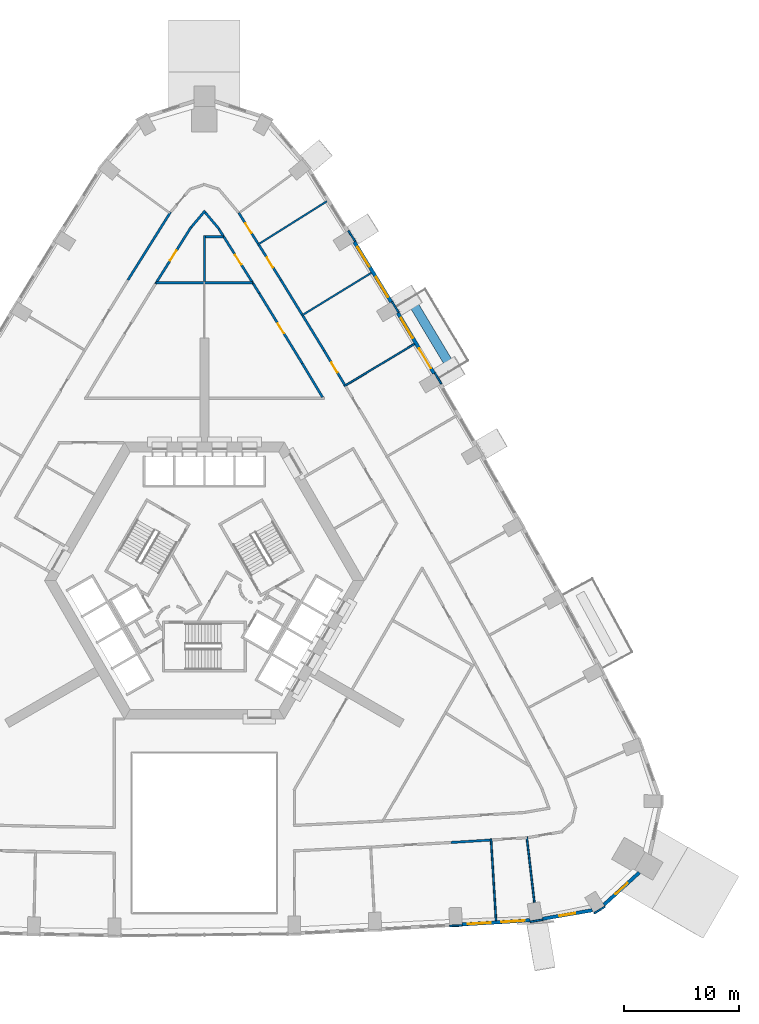
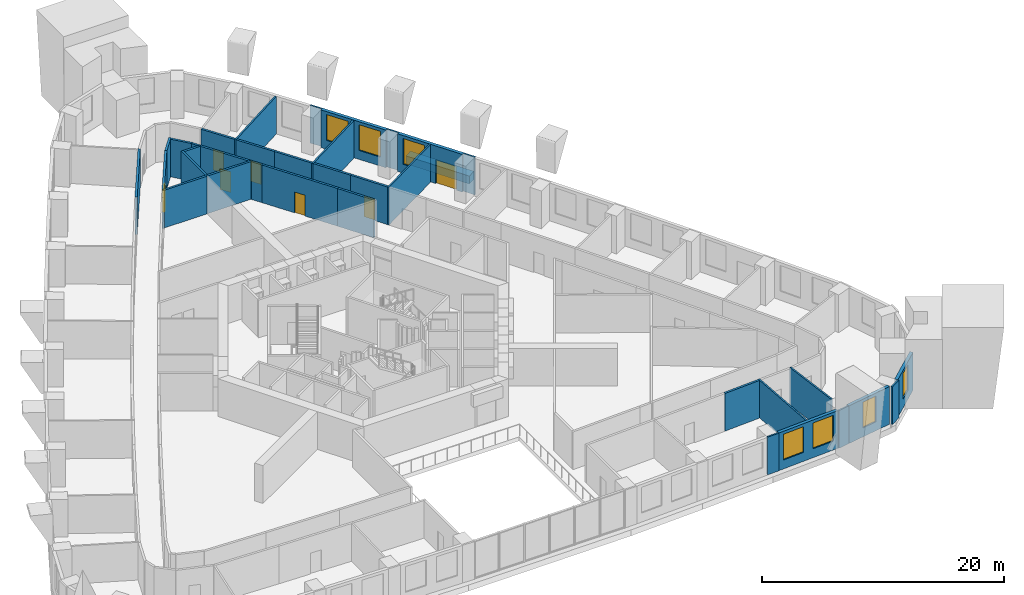
# One storey, part 10 of 15: 36 walls, 7 doors, 7 windows, 14 openings.
"""IFC4 building model written with IfcOpenShell, lengths in metres."""

import ifcopenshell
import ifcopenshell.guid

model = None  # the IFC model being written
_history = None  # IfcOwnerHistory: only IFC2X3 demands one
_inside = {}  # id of a spatial element -> (the spatial element, [elements in it])
_under = {}  # id of a project, library or spatial element -> (it, [spatial elements below it])
_declared = {}  # id of a project -> (the project, [libraries it declares])
_typed = {}  # id of a type object -> (the type object, [elements of that type])
_made_of = {}  # id of a material, layer set ... -> (it, [elements and type objects made of it])


def new_model(schema):
    """Start an empty IFC model of exactly this schema.

    Asked for "IFC4X3", IfcOpenShell would pick the latest addendum, in which some entities
    have other attributes; the version numbers below select the first issue.
    IFC2X3 requires an IfcOwnerHistory on every rooted entity: one is made here for all.
    """
    global model, _history
    if schema == "IFC4X3":
        model = ifcopenshell.file(schema_version=(4, 3, 0, 0))
    else:
        model = ifcopenshell.file(schema=schema)
    _inside.clear()
    _under.clear()
    _declared.clear()
    _typed.clear()
    _made_of.clear()
    _history = None
    if model.schema == "IFC2X3":
        org = make("IfcOrganization", Name="unknown")
        user = make(
            "IfcPersonAndOrganization",
            ThePerson=make("IfcPerson", FamilyName="unknown"),
            TheOrganization=org,
        )
        app = make(
            "IfcApplication",
            ApplicationDeveloper=org,
            Version="unknown",
            ApplicationFullName="unknown",
            ApplicationIdentifier="unknown",
        )
        _history = make(
            "IfcOwnerHistory",
            OwningUser=user,
            OwningApplication=app,
            ChangeAction="ADDED",
            CreationDate=0,
        )
    return model


def make(cls, **values):
    """One entity of the class cls with the attributes given. An attribute that is None is left unset."""
    return model.create_entity(
        cls, **{name: value for name, value in values.items() if value is not None}
    )


def rooted(cls, **values):
    """An entity with a GlobalId (a new one), such as an element, a storey or a relation."""
    return make(cls, GlobalId=ifcopenshell.guid.new(), OwnerHistory=_history, **values)


def si_unit(unit_type, name, prefix=None):
    """IfcSIUnit, for example si_unit("LENGTHUNIT", "METRE", prefix="MILLI")."""
    return make("IfcSIUnit", UnitType=unit_type, Prefix=prefix, Name=name)


def assignment(units):
    """IfcUnitAssignment: the units of a project."""
    return None if units is None else make("IfcUnitAssignment", Units=units)


def point(xyz):
    """IfcCartesianPoint."""
    return None if xyz is None else make("IfcCartesianPoint", Coordinates=xyz)


def direction(xyz):
    """IfcDirection."""
    return None if xyz is None else make("IfcDirection", DirectionRatios=xyz)


def frame(location, z_axis=None, x_axis=None):
    """IfcAxis2Placement3D, a coordinate frame: its origin and axes. An axis left out is left unset."""
    return make(
        "IfcAxis2Placement3D",
        Location=point(location),
        Axis=direction(z_axis),
        RefDirection=direction(x_axis),
    )


def frame_2d(location, x_axis=None):
    """IfcAxis2Placement2D, a coordinate frame in the plane: its origin and x axis."""
    return make(
        "IfcAxis2Placement2D", Location=point(location), RefDirection=direction(x_axis)
    )


def origin():
    """The frame at (0, 0, 0) with its axes left unset."""
    return frame((0.0, 0.0, 0.0))


def place(relative_to, where):
    """IfcLocalPlacement: puts the frame where relative to a parent placement (None: the world)."""
    return make(
        "IfcLocalPlacement", PlacementRelTo=relative_to, RelativePlacement=where
    )


def context(
    kind, dimensions, precision=None, world=None, true_north=None, identifier=None
):
    """IfcGeometricRepresentationContext, for example the 3D "Model" context."""
    return make(
        "IfcGeometricRepresentationContext",
        ContextIdentifier=identifier,
        ContextType=kind,
        CoordinateSpaceDimension=dimensions,
        Precision=precision,
        WorldCoordinateSystem=world,
        TrueNorth=true_north,
    )


def subcontext(parent, identifier, kind, view, scale=None):
    """IfcGeometricRepresentationSubContext, for example "Body" below "Model"."""
    return make(
        "IfcGeometricRepresentationSubContext",
        ContextIdentifier=identifier,
        ContextType=kind,
        ParentContext=parent,
        TargetScale=scale,
        TargetView=view,
    )


def project(units=None, contexts=None):
    """IfcProject with its units and contexts."""
    return rooted(
        "IfcProject",
        Name="project",
        RepresentationContexts=contexts,
        UnitsInContext=assignment(units),
    )


def spatial(cls, under=None, at=None, **own):
    """A site, building, storey or space (cls), placed at a placement, below another one or the project."""
    s = rooted(cls, ObjectPlacement=at, **own)
    if under is not None:
        _under.setdefault(under.id(), (under, []))[1].append(s)
    return s


def profile(cls, at=None, kind="AREA", **sizes):
    """A parametric profile (cls). Its sizes go by their IFC names, for example OverallWidth=200.0."""
    return make(cls, ProfileType=kind, Position=at, **sizes)


def rectangle(**sizes):
    """IfcRectangleProfileDef."""
    return profile("IfcRectangleProfileDef", **sizes)


def extrude(swept, where, along, depth):
    """IfcExtrudedAreaSolid: the profile swept, set in the frame where, extruded along a direction by depth."""
    return make(
        "IfcExtrudedAreaSolid",
        SweptArea=swept,
        Position=where,
        ExtrudedDirection=direction(along),
        Depth=depth,
    )


def shape(context_of_items, identifier, shape_type, items):
    """IfcShapeRepresentation: the items that make up one representation, for example the "Body"."""
    return make(
        "IfcShapeRepresentation",
        ContextOfItems=context_of_items,
        RepresentationIdentifier=identifier,
        RepresentationType=shape_type,
        Items=items,
    )


def material(Name=None, Category=None):
    """IfcMaterial."""
    return make("IfcMaterial", Name=Name, Category=Category)


def layer(
    of_material, thickness, ventilated=None, Name=None, Category=None, Priority=None
):
    """IfcMaterialLayer: one layer of a wall or slab, of a material (None: an air gap)."""
    return make(
        "IfcMaterialLayer",
        Material=of_material,
        LayerThickness=thickness,
        IsVentilated=ventilated,
        Name=Name,
        Category=Category,
        Priority=Priority,
    )


def layer_set(layers, Name=None):
    """IfcMaterialLayerSet."""
    return make("IfcMaterialLayerSet", MaterialLayers=layers, LayerSetName=Name)


def made_of(thing, what):
    """Note that an element or type object is made of a material, layer set ...; save() writes the relation."""
    if what is not None:
        _made_of.setdefault(what.id(), (what, []))[1].append(thing)
    return thing


def type_object(cls, material=None, **own):
    """A type object (cls), such as IfcWallType, which elements share."""
    return made_of(rooted(cls, **own), material)


def element(
    cls,
    number,
    at=None,
    inside=None,
    cuts=None,
    type_object=None,
    material=None,
    context=None,
    identifier="Body",
    shape_type=None,
    held_by="IfcProductDefinitionShape",
    body=None,
    shapes=None,
    **own,
):
    """One element of the class cls, such as IfcWall. Its Tag is "e" and its number.

    at: its placement. inside: the storey or other place that contains it. cuts: it is an
    opening in that element (IfcRelVoidsElement). A single representation is given by context,
    identifier, shape_type and body (its items); several are given by shapes. held_by: the class
    of the entity that holds the representations. save() writes the other relations.
    """
    e = rooted(cls, Tag="e%d" % number, ObjectPlacement=at, **own)
    if body is not None:
        shapes = [shape(context, identifier, shape_type, body)]
    if shapes is not None:
        e.Representation = make(held_by, Representations=shapes)
    if inside is not None:
        _inside.setdefault(inside.id(), (inside, []))[1].append(e)
    if cuts is not None:
        rooted(
            "IfcRelVoidsElement", RelatingBuildingElement=cuts, RelatedOpeningElement=e
        )
    if type_object is not None:
        _typed.setdefault(type_object.id(), (type_object, []))[1].append(e)
    return made_of(e, material)


def fill(opening, filler):
    """IfcRelFillsElement: the door or window that sits in an opening."""
    return rooted(
        "IfcRelFillsElement",
        RelatingOpeningElement=opening,
        RelatedBuildingElement=filler,
    )


def aggregate(whole, parts):
    """IfcRelAggregates: a whole, such as a stair, and the parts it consists of."""
    return rooted("IfcRelAggregates", RelatingObject=whole, RelatedObjects=parts)


def save(model, path):
    """Write the relations noted so far, then the file.

    IfcRelAggregates (storeys below a building ...), IfcRelContainedInSpatialStructure (elements
    in a storey), IfcRelDefinesByType, IfcRelAssociatesMaterial and IfcRelDeclares: one each for
    every whole, place, type object, material and project.
    """
    for whole, parts in _under.values():
        aggregate(whole, parts)
    for where, things in _inside.values():
        rooted(
            "IfcRelContainedInSpatialStructure",
            RelatedElements=things,
            RelatingStructure=where,
        )
    for kind, things in _typed.values():
        rooted("IfcRelDefinesByType", RelatedObjects=things, RelatingType=kind)
    for what, things in _made_of.values():
        rooted("IfcRelAssociatesMaterial", RelatedObjects=things, RelatingMaterial=what)
    for by, libraries in _declared.values():
        rooted("IfcRelDeclares", RelatingContext=by, RelatedDefinitions=libraries)
    model.write(path)


model = new_model("IFC4")

# Units and contexts
model_context = context("Model", 3, precision=1e-05, world=origin(), true_north=direction((0.0, 1.0)))
body_context = subcontext(model_context, "Body", "Model", "MODEL_VIEW")
ifc_project = project(units=[si_unit("LENGTHUNIT", "METRE"), si_unit("AREAUNIT", "SQUARE_METRE"), si_unit("VOLUMEUNIT", "CUBIC_METRE"), si_unit("PLANEANGLEUNIT", "RADIAN"), si_unit("MASSUNIT", "GRAM", prefix="KILO")], contexts=[model_context])

# Site, building, storey
site_placement = place(None, origin())
site = spatial("IfcSite", under=ifc_project, at=site_placement, CompositionType="ELEMENT")
building_placement = place(site_placement, origin())
building = spatial("IfcBuilding", under=site, at=building_placement, Name="Entoto Arch Interchange Tower", CompositionType="ELEMENT")
storey_placement = place(building_placement, frame((0.0, 0.0, 124.39990234375)))
storey = spatial("IfcBuildingStorey", under=building, at=storey_placement, Name="L27", CompositionType="ELEMENT", Elevation=124.39990234375)

# Walls
ifc_material_1 = material(Name="Gypsum board partition on steel studs", Category="steel")
ifc_layer_1 = layer(ifc_material_1, 0.14990234375)
ifc_layer_set_1 = layer_set([ifc_layer_1], Name="Gypsum board partition on steel studs")
wall_type_1 = type_object("IfcWallType", Name="PARTITION 150", PredefinedType="PARTITIONING", material=ifc_layer_set_1)
wall_1_placement = place(storey_placement, frame((24.8291015625, -19.8759765625, 0.0), z_axis=(0.0, 0.0, 1.0), x_axis=(0.061693175316, -0.998095161856, 0.0)))
element("IfcWall", 1, at=wall_1_placement, inside=storey, type_object=wall_type_1, Name="wall:L27:p134", PredefinedType="PARTITIONING", context=body_context, shape_type="SweptSolid", body=[
    extrude(rectangle(XDim=7.099365234375, YDim=0.14990234375, at=frame_2d((3.5498046875, 0.0))), origin(), (0.0, 0.0, 1.0), 3.800048828125),
])
wall_2_placement = place(storey_placement, frame((27.925048828125, -19.68408203125, 0.0), z_axis=(0.0, 0.0, 1.0), x_axis=(0.115888394456, -0.993262241319, 0.0)))
element("IfcWall", 2, at=wall_2_placement, inside=storey, type_object=wall_type_1, Name="wall:L27:p135", PredefinedType="PARTITIONING", context=body_context, shape_type="SweptSolid", body=[
    extrude(rectangle(XDim=5.738525390625, YDim=0.14990234375, at=frame_2d((2.869140625, 0.0))), origin(), (0.0, 0.0, 1.0), 3.800048828125),
])
wall_3_placement = place(storey_placement, frame((12.10400390625, 19.347900390625, 0.0), z_axis=(0.0, 0.0, 1.0), x_axis=(0.85799008499, 0.513666247732, 0.0)))
element("IfcWall", 3, at=wall_3_placement, inside=storey, type_object=wall_type_1, Name="wall:L27:p141", PredefinedType="PARTITIONING", context=body_context, shape_type="SweptSolid", body=[
    extrude(rectangle(XDim=7.100341796875, YDim=0.14990234375, at=frame_2d((3.55029296875, 0.0))), origin(), (0.0, 0.0, 1.0), 3.800048828125),
])
wall_4_placement = place(storey_placement, frame((8.406005859375, 25.450927734375, 0.0), z_axis=(0.0, 0.0, 1.0), x_axis=(0.852520194289, 0.522694287637, 0.0)))
element("IfcWall", 4, at=wall_4_placement, inside=storey, type_object=wall_type_1, Name="wall:L27:p142", PredefinedType="PARTITIONING", context=body_context, shape_type="SweptSolid", body=[
    extrude(rectangle(XDim=7.10009765625, YDim=0.14990234375, at=frame_2d((3.550048828125, 0.0))), origin(), (0.0, 0.0, 1.0), 3.800048828125),
])
wall_5_placement = place(storey_placement, frame((4.596923828125, 31.589111328125, 0.0), z_axis=(0.0, 0.0, 1.0), x_axis=(0.846980720953, 0.531623605885, 0.0)))
element("IfcWall", 5, at=wall_5_placement, inside=storey, type_object=wall_type_1, Name="wall:L27:p143", PredefinedType="PARTITIONING", context=body_context, shape_type="SweptSolid", body=[
    extrude(rectangle(XDim=7.1005859375, YDim=0.14990234375, at=frame_2d((3.55029296875, 0.0))), origin(), (0.0, 0.0, 1.0), 3.800048828125),
])
ifc_layer_2 = layer(ifc_material_1, 0.199951171875)
ifc_layer_set_2 = layer_set([ifc_layer_2], Name="Gypsum board partition on steel studs")
wall_type_2 = type_object("IfcWallType", Name="PARTITION 200", PredefinedType="PARTITIONING", material=ifc_layer_set_2)
wall_6_placement = place(storey_placement, frame((10.23193359375, 18.385986328125, 0.0), z_axis=(0.0, 0.0, 1.0), x_axis=(-0.513592824646, 0.858034038062, 0.0)))
element("IfcWall", 6, at=wall_6_placement, inside=storey, type_object=wall_type_2, Name="wall:L27:p009", PredefinedType="PARTITIONING", context=body_context, shape_type="SweptSolid", body=[
    extrude(rectangle(XDim=3.420654296875, YDim=0.199951171875, at=frame_2d((1.71044921875, 0.0))), origin(), (0.0, 0.0, 1.0), 3.800048828125),
])

# Wall, opening, door
wall_7_placement = place(storey_placement, frame((8.47509765625, 21.321044921875, 0.0), z_axis=(0.0, 0.0, 1.0), x_axis=(-0.522743103274, 0.852490262689, 0.0)))
wall_7 = element("IfcWall", 7, at=wall_7_placement, inside=storey, type_object=wall_type_2, Name="wall:L27:p010", PredefinedType="PARTITIONING", context=body_context, shape_type="SweptSolid", body=[
    extrude(rectangle(XDim=7.114501953125, YDim=0.199951171875, at=frame_2d((3.55712890625, 0.0))), origin(), (0.0, 0.0, 1.0), 3.800048828125),
])
opening_1_placement = place(wall_7_placement, frame((3.056884765625, 0.0, 0.0)))
opening_1 = element("IfcOpeningElement", 8, at=opening_1_placement, cuts=wall_7, Name="Opening L27-D26", PredefinedType="OPENING", context=body_context, shape_type="SweptSolid", body=[
    extrude(rectangle(XDim=1.0, YDim=2.10009765625, at=frame_2d((0.5, 1.050048828125))), frame((0.0, 0.10986328125, 0.0), z_axis=(0.0, -1.0, 0.0), x_axis=(1.0, 0.0, 0.0)), (0.0, 0.0, 1.0), 0.219970703125),
])
ifc_material_2 = material(Name="Timber door leaf in Steel S235 frame", Category="steel")
door_type_1 = type_object("IfcDoorType", Name="DOOR DS-10 1000x2100", OperationType="SINGLE_SWING_LEFT", PredefinedType="DOOR", material=ifc_material_2)
door_1_placement = place(opening_1_placement, origin())
door_1 = element("IfcDoor", 9, at=door_1_placement, inside=storey, type_object=door_type_1, Name="door:L27:26", OperationType="SINGLE_SWING_RIGHT", OverallHeight=2.10009765625, OverallWidth=1.0, PredefinedType="DOOR", context=body_context, shape_type="SweptSolid", body=[
    extrude(rectangle(XDim=1.0, YDim=2.10009765625, at=frame_2d((0.5, 1.050048828125))), frame((0.0, 0.02490234375, 0.0), z_axis=(0.0, -1.0, 0.0), x_axis=(1.0, 0.0, 0.0)), (0.0, 0.0, 1.0), 0.050048828125),
])
fill(opening_1, door_1)

# Wall
wall_8_placement = place(storey_placement, frame((4.756103515625, 27.385986328125, 0.0), z_axis=(0.0, 0.0, 1.0), x_axis=(-0.531343659666, 0.84715637006, 0.0)))
element("IfcWall", 10, at=wall_8_placement, inside=storey, type_object=wall_type_2, Name="wall:L27:p011", PredefinedType="PARTITIONING", context=body_context, shape_type="SweptSolid", body=[
    extrude(rectangle(XDim=0.978759765625, YDim=0.199951171875, at=frame_2d((0.4892578125, 0.0))), origin(), (0.0, 0.0, 1.0), 3.800048828125),
])

# Wall, opening, door
wall_9_placement = place(storey_placement, frame((4.236083984375, 28.215087890625, 0.0), z_axis=(0.0, 0.0, 1.0), x_axis=(-0.531602694807, 0.84699384583, 0.0)))
wall_9 = element("IfcWall", 11, at=wall_9_placement, inside=storey, type_object=wall_type_2, Name="wall:L27:p015", PredefinedType="PARTITIONING", context=body_context, shape_type="SweptSolid", body=[
    extrude(rectangle(XDim=4.923095703125, YDim=0.199951171875, at=frame_2d((2.46142578125, 0.0))), origin(), (0.0, 0.0, 1.0), 3.800048828125),
])
opening_2_placement = place(wall_9_placement, frame((1.9609375, 0.0, 0.0)))
opening_2 = element("IfcOpeningElement", 12, at=opening_2_placement, cuts=wall_9, Name="Opening L27-D28", PredefinedType="OPENING", context=body_context, shape_type="SweptSolid", body=[
    extrude(rectangle(XDim=1.0, YDim=2.10009765625, at=frame_2d((0.5, 1.050048828125))), frame((0.0, 0.10986328125, 0.0), z_axis=(0.0, -1.0, 0.0), x_axis=(1.0, 0.0, 0.0)), (0.0, 0.0, 1.0), 0.219970703125),
])
door_2_placement = place(opening_2_placement, origin())
door_2 = element("IfcDoor", 13, at=door_2_placement, inside=storey, type_object=door_type_1, Name="door:L27:28", OperationType="SINGLE_SWING_LEFT", OverallHeight=2.10009765625, OverallWidth=1.0, PredefinedType="DOOR", context=body_context, shape_type="SweptSolid", body=[
    extrude(rectangle(XDim=1.0, YDim=2.10009765625, at=frame_2d((0.5, 1.050048828125))), frame((0.0, 0.02490234375, 0.0), z_axis=(0.0, -1.0, 0.0), x_axis=(1.0, 0.0, 0.0)), (0.0, 0.0, 1.0), 0.050048828125),
])
fill(opening_2, door_2)

# Walls
wall_10_placement = place(storey_placement, frame((1.618896484375, 32.385009765625, 0.0), z_axis=(0.0, 0.0, 1.0), x_axis=(-0.532112237469, 0.84667382547, 0.0)))
element("IfcWall", 14, at=wall_10_placement, inside=storey, type_object=wall_type_2, Name="wall:L27:p016", PredefinedType="PARTITIONING", context=body_context, shape_type="SweptSolid", body=[
    extrude(rectangle(XDim=0.674560546875, YDim=0.199951171875, at=frame_2d((0.33740234375, 0.0))), origin(), (0.0, 0.0, 1.0), 3.800048828125),
])
wall_11_placement = place(storey_placement, frame((1.27099609375, 32.964111328125, 0.0), z_axis=(0.0, 0.0, 1.0), x_axis=(-0.644007376392, 0.765019280249, 0.0)))
element("IfcWall", 15, at=wall_11_placement, inside=storey, type_object=wall_type_2, Name="wall:L27:p017", PredefinedType="PARTITIONING", context=body_context, shape_type="SweptSolid", body=[
    extrude(rectangle(XDim=1.874267578125, YDim=0.199951171875, at=frame_2d((0.93701171875, 0.0))), origin(), (0.0, 0.0, 1.0), 3.800048828125),
])
wall_12_placement = place(storey_placement, frame((0.06396484375, 34.551025390625, 0.0), z_axis=(0.0, 0.0, 1.0), x_axis=(-0.643638095982, -0.765329995101, 0.0)))
element("IfcWall", 16, at=wall_12_placement, inside=storey, type_object=wall_type_2, Name="wall:L27:p018", PredefinedType="PARTITIONING", context=body_context, shape_type="SweptSolid", body=[
    extrude(rectangle(XDim=1.873779296875, YDim=0.199951171875, at=frame_2d((0.93701171875, 0.0))), origin(), (0.0, 0.0, 1.0), 3.800048828125),
])

# Wall, opening, door
wall_13_placement = place(storey_placement, frame((-1.154052734375, 33.125, 0.0), z_axis=(0.0, 0.0, 1.0), x_axis=(-0.531652223099, -0.846962758139, 0.0)))
wall_13 = element("IfcWall", 17, at=wall_13_placement, inside=storey, type_object=wall_type_2, Name="wall:L27:p019", PredefinedType="PARTITIONING", context=body_context, shape_type="SweptSolid", body=[
    extrude(rectangle(XDim=5.797119140625, YDim=0.199951171875, at=frame_2d((2.8984375, 0.0))), origin(), (0.0, 0.0, 1.0), 3.800048828125),
])
opening_3_placement = place(wall_13_placement, frame((2.39892578125, 0.0, 0.0)))
opening_3 = element("IfcOpeningElement", 18, at=opening_3_placement, cuts=wall_13, Name="Opening L27-D29", PredefinedType="OPENING", context=body_context, shape_type="SweptSolid", body=[
    extrude(rectangle(XDim=1.0, YDim=2.10009765625, at=frame_2d((0.5, 1.050048828125))), frame((0.0, 0.10986328125, 0.0), z_axis=(0.0, -1.0, 0.0), x_axis=(1.0, 0.0, 0.0)), (0.0, 0.0, 1.0), 0.219970703125),
])
door_3_placement = place(opening_3_placement, origin())
door_3 = element("IfcDoor", 19, at=door_3_placement, inside=storey, type_object=door_type_1, Name="door:L27:29", OperationType="SINGLE_SWING_LEFT", OverallHeight=2.10009765625, OverallWidth=1.0, PredefinedType="DOOR", context=body_context, shape_type="SweptSolid", body=[
    extrude(rectangle(XDim=1.0, YDim=2.10009765625, at=frame_2d((0.5, 1.050048828125))), frame((0.0, 0.02490234375, 0.0), z_axis=(0.0, -1.0, 0.0), x_axis=(1.0, 0.0, 0.0)), (0.0, 0.0, 1.0), 0.050048828125),
])
fill(opening_3, door_3)

# Walls
wall_14_placement = place(storey_placement, frame((24.760009765625, -19.97998046875, 0.0), z_axis=(0.0, 0.0, 1.0), x_axis=(-0.998092137917, -0.061742078267, 0.0)))
element("IfcWall", 20, at=wall_14_placement, inside=storey, type_object=wall_type_2, Name="wall:L27:p044", PredefinedType="PARTITIONING", context=body_context, shape_type="SweptSolid", body=[
    extrude(rectangle(XDim=3.41650390625, YDim=0.199951171875, at=frame_2d((1.708251953125, 0.0))), origin(), (0.0, 0.0, 1.0), 3.800048828125),
])
wall_15_placement = place(storey_placement, frame((8.531005859375, 25.43896484375, 0.0), z_axis=(0.0, 0.0, 1.0), x_axis=(0.522704631836, -0.852513852003, 0.0)))
element("IfcWall", 21, at=wall_15_placement, inside=storey, type_object=wall_type_2, Name="wall:L27:p058", PredefinedType="PARTITIONING", context=body_context, shape_type="SweptSolid", body=[
    extrude(rectangle(XDim=3.4931640625, YDim=0.199951171875, at=frame_2d((1.74658203125, 0.0))), origin(), (0.0, 0.0, 1.0), 3.800048828125),
])

# Wall, opening, door
wall_16_placement = place(storey_placement, frame((10.35693359375, 22.4609375, 0.0), z_axis=(0.0, 0.0, 1.0), x_axis=(0.513467759888, -0.858108885606, 0.0)))
wall_16 = element("IfcWall", 22, at=wall_16_placement, inside=storey, type_object=wall_type_2, Name="wall:L27:p059", PredefinedType="PARTITIONING", context=body_context, shape_type="SweptSolid", body=[
    extrude(rectangle(XDim=3.493896484375, YDim=0.199951171875, at=frame_2d((1.7470703125, 0.0))), origin(), (0.0, 0.0, 1.0), 3.800048828125),
])
opening_4_placement = place(wall_16_placement, frame((1.2470703125, 0.0, 0.0)))
opening_4 = element("IfcOpeningElement", 23, at=opening_4_placement, cuts=wall_16, Name="Opening L27-D10", PredefinedType="OPENING", context=body_context, shape_type="SweptSolid", body=[
    extrude(rectangle(XDim=1.0, YDim=2.10009765625, at=frame_2d((0.5, 1.050048828125))), frame((0.0, 0.10986328125, 0.0), z_axis=(0.0, -1.0, 0.0), x_axis=(1.0, 0.0, 0.0)), (0.0, 0.0, 1.0), 0.219970703125),
])
door_4_placement = place(opening_4_placement, origin())
door_4 = element("IfcDoor", 24, at=door_4_placement, inside=storey, type_object=door_type_1, Name="door:L27:10", OperationType="SINGLE_SWING_RIGHT", OverallHeight=2.10009765625, OverallWidth=1.0, PredefinedType="DOOR", context=body_context, shape_type="SweptSolid", body=[
    extrude(rectangle(XDim=1.0, YDim=2.10009765625, at=frame_2d((0.5, 1.050048828125))), frame((0.0, 0.02490234375, 0.0), z_axis=(0.0, -1.0, 0.0), x_axis=(1.0, 0.0, 0.0)), (0.0, 0.0, 1.0), 0.050048828125),
])
fill(opening_4, door_4)

wall_17_placement = place(storey_placement, frame((4.721923828125, 31.5791015625, 0.0), z_axis=(0.0, 0.0, 1.0), x_axis=(0.531664655861, -0.846954953766, 0.0)))
wall_17 = element("IfcWall", 25, at=wall_17_placement, inside=storey, type_object=wall_type_2, Name="wall:L27:p060", PredefinedType="PARTITIONING", context=body_context, shape_type="SweptSolid", body=[
    extrude(rectangle(XDim=3.581298828125, YDim=0.199951171875, at=frame_2d((1.79052734375, 0.0))), origin(), (0.0, 0.0, 1.0), 3.800048828125),
])
opening_5_placement = place(wall_17_placement, frame((1.291015625, 0.0, 0.0)))
opening_5 = element("IfcOpeningElement", 26, at=opening_5_placement, cuts=wall_17, Name="Opening L27-D11", PredefinedType="OPENING", context=body_context, shape_type="SweptSolid", body=[
    extrude(rectangle(XDim=1.0, YDim=2.10009765625, at=frame_2d((0.5, 1.050048828125))), frame((0.0, 0.10986328125, 0.0), z_axis=(0.0, -1.0, 0.0), x_axis=(1.0, 0.0, 0.0)), (0.0, 0.0, 1.0), 0.219970703125),
])
door_5_placement = place(opening_5_placement, origin())
door_5 = element("IfcDoor", 27, at=door_5_placement, inside=storey, type_object=door_type_1, Name="door:L27:11", OperationType="SINGLE_SWING_LEFT", OverallHeight=2.10009765625, OverallWidth=1.0, PredefinedType="DOOR", context=body_context, shape_type="SweptSolid", body=[
    extrude(rectangle(XDim=1.0, YDim=2.10009765625, at=frame_2d((0.5, 1.050048828125))), frame((0.0, 0.02490234375, 0.0), z_axis=(0.0, -1.0, 0.0), x_axis=(1.0, 0.0, 0.0)), (0.0, 0.0, 1.0), 0.050048828125),
])
fill(opening_5, door_5)

# Wall
wall_18_placement = place(storey_placement, frame((6.6259765625, 28.5458984375, 0.0), z_axis=(0.0, 0.0, 1.0), x_axis=(0.522580081027, -0.852590205734, 0.0)))
element("IfcWall", 28, at=wall_18_placement, inside=storey, type_object=wall_type_2, Name="wall:L27:p061", PredefinedType="PARTITIONING", context=body_context, shape_type="SweptSolid", body=[
    extrude(rectangle(XDim=3.494140625, YDim=0.199951171875, at=frame_2d((1.7470703125, 0.0))), origin(), (0.0, 0.0, 1.0), 3.800048828125),
])

# Wall, opening, door
wall_19_placement = place(storey_placement, frame((2.97509765625, 34.361083984375, 0.0), z_axis=(0.0, 0.0, 1.0), x_axis=(0.531740854333, -0.846907116414, 0.0)))
wall_19 = element("IfcWall", 29, at=wall_19_placement, inside=storey, type_object=wall_type_2, Name="wall:L27:p062", PredefinedType="PARTITIONING", context=body_context, shape_type="SweptSolid", body=[
    extrude(rectangle(XDim=3.135009765625, YDim=0.199951171875, at=frame_2d((1.5673828125, 0.0))), origin(), (0.0, 0.0, 1.0), 3.800048828125),
])
opening_6_placement = place(wall_19_placement, frame((1.068115234375, 0.0, 0.0)))
opening_6 = element("IfcOpeningElement", 30, at=opening_6_placement, cuts=wall_19, Name="Opening L27-D12", PredefinedType="OPENING", context=body_context, shape_type="SweptSolid", body=[
    extrude(rectangle(XDim=1.0, YDim=2.10009765625, at=frame_2d((0.5, 1.050048828125))), frame((0.0, 0.10986328125, 0.0), z_axis=(0.0, -1.0, 0.0), x_axis=(1.0, 0.0, 0.0)), (0.0, 0.0, 1.0), 0.219970703125),
])
door_6_placement = place(opening_6_placement, origin())
door_6 = element("IfcDoor", 31, at=door_6_placement, inside=storey, type_object=door_type_1, Name="door:L27:12", OperationType="SINGLE_SWING_LEFT", OverallHeight=2.10009765625, OverallWidth=1.0, PredefinedType="DOOR", context=body_context, shape_type="SweptSolid", body=[
    extrude(rectangle(XDim=1.0, YDim=2.10009765625, at=frame_2d((0.5, 1.050048828125))), frame((0.0, 0.02490234375, 0.0), z_axis=(0.0, -1.0, 0.0), x_axis=(1.0, 0.0, 0.0)), (0.0, 0.0, 1.0), 0.050048828125),
])
fill(opening_6, door_6)

# Walls
wall_20_placement = place(storey_placement, frame((-6.6259765625, 28.5458984375, 0.0), z_axis=(0.0, 0.0, 1.0), x_axis=(0.531701842465, 0.846931609234, 0.0)))
element("IfcWall", 32, at=wall_20_placement, inside=storey, type_object=wall_type_2, Name="wall:L27:p068", PredefinedType="PARTITIONING", context=body_context, shape_type="SweptSolid", body=[
    extrude(rectangle(XDim=6.941650390625, YDim=0.199951171875, at=frame_2d((3.470703125, 0.0))), origin(), (0.0, 0.0, 1.0), 3.800048828125),
])
wall_21_placement = place(storey_placement, frame((-0.050048828125, 28.300048828125, 0.0), z_axis=(0.0, 0.0, 1.0), x_axis=(1.0, 0.0, 0.0)))
element("IfcWall", 33, at=wall_21_placement, inside=storey, type_object=wall_type_2, Name="wall:L27:p125", PredefinedType="PARTITIONING", context=body_context, shape_type="SweptSolid", body=[
    extrude(rectangle(XDim=4.23193359375, YDim=0.199951171875, at=frame_2d((2.115966796875, 0.0))), origin(), (0.0, 0.0, 1.0), 3.800048828125),
])
wall_22_placement = place(storey_placement, frame((-4.181884765625, 28.300048828125, 0.0), z_axis=(0.0, 0.0, 1.0), x_axis=(1.0, 0.0, 0.0)))
element("IfcWall", 34, at=wall_22_placement, inside=storey, type_object=wall_type_2, Name="wall:L27:p126", PredefinedType="PARTITIONING", context=body_context, shape_type="SweptSolid", body=[
    extrude(rectangle(XDim=4.1318359375, YDim=0.199951171875, at=frame_2d((2.06591796875, 0.0))), origin(), (0.0, 0.0, 1.0), 3.800048828125),
])
wall_23_placement = place(storey_placement, frame((0.0, 28.39990234375, 0.0), z_axis=(0.0, 0.0, 1.0), x_axis=(0.0, 1.0, 0.0)))
element("IfcWall", 35, at=wall_23_placement, inside=storey, type_object=wall_type_2, Name="wall:L27:p127", PredefinedType="PARTITIONING", context=body_context, shape_type="SweptSolid", body=[
    extrude(rectangle(XDim=4.0, YDim=0.199951171875, at=frame_2d((2.0, 0.0))), origin(), (0.0, 0.0, 1.0), 3.800048828125),
])
wall_24_placement = place(storey_placement, frame((0.10009765625, 32.300048828125, 0.0), z_axis=(0.0, 0.0, 1.0), x_axis=(1.0, 0.0, 0.0)))
element("IfcWall", 36, at=wall_24_placement, inside=storey, type_object=wall_type_2, Name="wall:L27:p128", PredefinedType="PARTITIONING", context=body_context, shape_type="SweptSolid", body=[
    extrude(rectangle(XDim=1.572021484375, YDim=0.199951171875, at=frame_2d((0.7861328125, 0.0))), origin(), (0.0, 0.0, 1.0), 3.800048828125),
])
ifc_material_3 = material(Name="Board-marked precast concrete C50/60", Category="concrete")
ifc_layer_3 = layer(ifc_material_3, 0.800048828125)
ifc_layer_set_3 = layer_set([ifc_layer_3], Name="Board-marked precast concrete C50/60")
wall_type_3 = type_object("IfcWallType", Name="PLANTER RC 800 Juniperus procera", PredefinedType="STANDARD", material=ifc_layer_set_3)
wall_25_placement = place(storey_placement, frame((21.198974609375, 21.2880859375, 0.0), z_axis=(0.0, 0.0, 1.0), x_axis=(-0.513779237715, 0.857922429415, 0.0)))
element("IfcWall", 37, at=wall_25_placement, inside=storey, type_object=wall_type_3, Name="Planter NE-06 L27", PredefinedType="STANDARD", context=body_context, shape_type="SweptSolid", body=[
    extrude(rectangle(XDim=6.014404296875, YDim=0.800048828125, at=frame_2d((3.00732421875, 0.0))), origin(), (0.0, 0.0, 1.0), 0.800048828125),
])

# Wall, openings, windows
ifc_material_4 = material(Name="Welded tuff (ignimbrite) cladding, warm buff", Category="masonry")
ifc_layer_4 = layer(ifc_material_4, 0.300048828125)
ifc_layer_set_4 = layer_set([ifc_layer_4], Name="Welded tuff (ignimbrite) cladding, warm buff")
wall_type_4 = type_object("IfcWallType", Name="STONE INFILL WALL 300", PredefinedType="STANDARD", material=ifc_layer_set_4)
wall_26_placement = place(storey_placement, frame((22.33203125, -27.2939453125, 0.0), z_axis=(0.0, 0.0, 1.0), x_axis=(0.998086636664, 0.061830944626, 0.0)))
wall_26 = element("IfcWall", 38, at=wall_26_placement, inside=storey, type_object=wall_type_4, Name="Facade wall S-07 L27", PredefinedType="STANDARD", context=body_context, shape_type="SweptSolid", body=[
    extrude(rectangle(XDim=5.88720703125, YDim=0.300048828125, at=frame_2d((2.943603515625, 0.0))), origin(), (0.0, 0.0, 1.0), 3.800048828125),
])
opening_7_placement = place(wall_26_placement, frame((0.471923828125, 0.0, 0.89990234375)))
opening_7 = element("IfcOpeningElement", 39, at=opening_7_placement, cuts=wall_26, Name="Opening WO-C", PredefinedType="OPENING", context=body_context, shape_type="SweptSolid", body=[
    extrude(rectangle(XDim=2.0, YDim=2.60009765625, at=frame_2d((1.0, 1.300048828125))), frame((0.0, 0.16015625, 0.0), z_axis=(0.0, -1.0, 0.0), x_axis=(1.0, 0.0, 0.0)), (0.0, 0.0, 1.0), 0.320068359375),
])
opening_8_placement = place(wall_26_placement, frame((3.4150390625, 0.0, 0.89990234375)))
opening_8 = element("IfcOpeningElement", 40, at=opening_8_placement, cuts=wall_26, Name="Opening WO-C", PredefinedType="OPENING", context=body_context, shape_type="SweptSolid", body=[
    extrude(rectangle(XDim=2.0, YDim=2.60009765625, at=frame_2d((1.0, 1.300048828125))), frame((0.0, 0.16015625, 0.0), z_axis=(0.0, -1.0, 0.0), x_axis=(1.0, 0.0, 0.0)), (0.0, 0.0, 1.0), 0.320068359375),
])
ifc_material_5 = material(Name="Clear glass, low-e double glazed", Category="glass")
window_type_1 = type_object("IfcWindowType", Name="WINDOW WO-C 2000x2600", PartitioningType="DOUBLE_PANEL_VERTICAL", PredefinedType="WINDOW", material=ifc_material_5)
window_1_placement = place(opening_7_placement, origin())
window_1 = element("IfcWindow", 41, at=window_1_placement, inside=storey, type_object=window_type_1, Name="Window WO-C S-07 L27", OverallHeight=2.60009765625, OverallWidth=2.0, PartitioningType="SINGLE_PANEL", PredefinedType="WINDOW", context=body_context, shape_type="SweptSolid", body=[
    extrude(rectangle(XDim=2.0, YDim=2.60009765625, at=frame_2d((1.0, 1.300048828125))), frame((0.0, 0.030029296875, 0.0), z_axis=(0.0, -1.0, 0.0), x_axis=(1.0, 0.0, 0.0)), (0.0, 0.0, 1.0), 0.06005859375),
])
fill(opening_7, window_1)
window_2_placement = place(opening_8_placement, origin())
window_2 = element("IfcWindow", 42, at=window_2_placement, inside=storey, type_object=window_type_1, Name="Window WO-C S-07 L27", OverallHeight=2.60009765625, OverallWidth=2.0, PartitioningType="SINGLE_PANEL", PredefinedType="WINDOW", context=body_context, shape_type="SweptSolid", body=[
    extrude(rectangle(XDim=2.0, YDim=2.60009765625, at=frame_2d((1.0, 1.300048828125))), frame((0.0, 0.030029296875, 0.0), z_axis=(0.0, -1.0, 0.0), x_axis=(1.0, 0.0, 0.0)), (0.0, 0.0, 1.0), 0.06005859375),
])
fill(opening_8, window_2)

# Wall, opening, window
wall_27_placement = place(storey_placement, frame((29.300048828125, -26.803955078125, 0.0), z_axis=(0.0, 0.0, 1.0), x_axis=(0.985504881957, 0.169647067875, 0.0)))
wall_27 = element("IfcWall", 43, at=wall_27_placement, inside=storey, type_object=wall_type_4, Name="Facade wall SE-01 L27", PredefinedType="STANDARD", context=body_context, shape_type="SweptSolid", body=[
    extrude(rectangle(XDim=4.37353515625, YDim=0.300048828125, at=frame_2d((2.186767578125, 0.0))), origin(), (0.0, 0.0, 1.0), 3.800048828125),
])
opening_9_placement = place(wall_27_placement, frame((1.487060546875, 0.0, 0.89990234375)))
opening_9 = element("IfcOpeningElement", 44, at=opening_9_placement, cuts=wall_27, Name="Opening WO-B", PredefinedType="OPENING", context=body_context, shape_type="SweptSolid", body=[
    extrude(rectangle(XDim=1.39990234375, YDim=2.60009765625, at=frame_2d((0.699951171875, 1.300048828125))), frame((0.0, 0.16015625, 0.0), z_axis=(0.0, -1.0, 0.0), x_axis=(1.0, 0.0, 0.0)), (0.0, 0.0, 1.0), 0.320068359375),
])
window_type_2 = type_object("IfcWindowType", Name="WINDOW WO-B 1400x2600", PartitioningType="DOUBLE_PANEL_VERTICAL", PredefinedType="WINDOW", material=ifc_material_5)
window_3_placement = place(opening_9_placement, origin())
window_3 = element("IfcWindow", 45, at=window_3_placement, inside=storey, type_object=window_type_2, Name="Window WO-B SE-01 L27", OverallHeight=2.60009765625, OverallWidth=1.39990234375, PartitioningType="SINGLE_PANEL", PredefinedType="WINDOW", context=body_context, shape_type="SweptSolid", body=[
    extrude(rectangle(XDim=1.39990234375, YDim=2.60009765625, at=frame_2d((0.699951171875, 1.300048828125))), frame((0.0, 0.030029296875, 0.0), z_axis=(0.0, -1.0, 0.0), x_axis=(1.0, 0.0, 0.0)), (0.0, 0.0, 1.0), 0.06005859375),
])
fill(opening_9, window_3)

wall_28_placement = place(storey_placement, frame((34.610107421875, -25.593017578125, 0.0), z_axis=(0.0, 0.0, 1.0), x_axis=(0.738825046606, 0.673897284835, 0.0)))
wall_28 = element("IfcWall", 46, at=wall_28_placement, inside=storey, type_object=wall_type_4, Name="Facade wall SE-02 L27", PredefinedType="STANDARD", context=body_context, shape_type="SweptSolid", body=[
    extrude(rectangle(XDim=4.155029296875, YDim=0.300048828125, at=frame_2d((2.07763671875, 0.0))), origin(), (0.0, 0.0, 1.0), 3.800048828125),
])
opening_10_placement = place(wall_28_placement, frame((1.3779296875, 0.0, 0.89990234375)))
opening_10 = element("IfcOpeningElement", 47, at=opening_10_placement, cuts=wall_28, Name="Opening WO-B", PredefinedType="OPENING", context=body_context, shape_type="SweptSolid", body=[
    extrude(rectangle(XDim=1.39990234375, YDim=2.60009765625, at=frame_2d((0.699951171875, 1.300048828125))), frame((0.0, 0.16015625, 0.0), z_axis=(0.0, -1.0, 0.0), x_axis=(1.0, 0.0, 0.0)), (0.0, 0.0, 1.0), 0.320068359375),
])
window_4_placement = place(opening_10_placement, origin())
window_4 = element("IfcWindow", 48, at=window_4_placement, inside=storey, type_object=window_type_2, Name="Window WO-B SE-02 L27", OverallHeight=2.60009765625, OverallWidth=1.39990234375, PartitioningType="SINGLE_PANEL", PredefinedType="WINDOW", context=body_context, shape_type="SweptSolid", body=[
    extrude(rectangle(XDim=1.39990234375, YDim=2.60009765625, at=frame_2d((0.699951171875, 1.300048828125))), frame((0.0, 0.030029296875, 0.0), z_axis=(0.0, -1.0, 0.0), x_axis=(1.0, 0.0, 0.0)), (0.0, 0.0, 1.0), 0.06005859375),
])
fill(opening_10, window_4)

# Wall, openings, door, window
wall_29_placement = place(storey_placement, frame((19.89501953125, 20.448974609375, 0.0), z_axis=(0.0, 0.0, 1.0), x_axis=(-0.513708729904, 0.857964650099, 0.0)))
wall_29 = element("IfcWall", 49, at=wall_29_placement, inside=storey, type_object=wall_type_4, Name="Facade wall NE-06 L27", PredefinedType="STANDARD", context=body_context, shape_type="SweptSolid", body=[
    extrude(rectangle(XDim=6.114501953125, YDim=0.300048828125, at=frame_2d((3.05712890625, 0.0))), origin(), (0.0, 0.0, 1.0), 3.800048828125),
])
opening_11_placement = place(wall_29_placement, frame((0.529052734375, 0.0, 0.0)))
opening_11 = element("IfcOpeningElement", 50, at=opening_11_placement, cuts=wall_29, Name="Opening DB-NE-06-L27", PredefinedType="OPENING", context=body_context, shape_type="SweptSolid", body=[
    extrude(rectangle(XDim=2.0, YDim=2.39990234375, at=frame_2d((1.0, 1.199951171875))), frame((0.0, 0.16015625, 0.0), z_axis=(0.0, -1.0, 0.0), x_axis=(1.0, 0.0, 0.0)), (0.0, 0.0, 1.0), 0.320068359375),
])
opening_12_placement = place(wall_29_placement, frame((3.5859375, 0.0, 0.89990234375)))
opening_12 = element("IfcOpeningElement", 51, at=opening_12_placement, cuts=wall_29, Name="Opening WO-C", PredefinedType="OPENING", context=body_context, shape_type="SweptSolid", body=[
    extrude(rectangle(XDim=2.0, YDim=2.60009765625, at=frame_2d((1.0, 1.300048828125))), frame((0.0, 0.16015625, 0.0), z_axis=(0.0, -1.0, 0.0), x_axis=(1.0, 0.0, 0.0)), (0.0, 0.0, 1.0), 0.320068359375),
])
ifc_material_6 = material(Name="Aluminium and clear glass, anodised", Category="aluminium")
door_type_2 = type_object("IfcDoorType", Name="BALCONY DOOR DB 2000x2400", OperationType="SLIDING_TO_LEFT", PredefinedType="DOOR", material=ifc_material_6)
door_7_placement = place(opening_11_placement, origin())
door_7 = element("IfcDoor", 52, at=door_7_placement, inside=storey, type_object=door_type_2, Name="Balcony door NE-06 L27", OperationType="SLIDING_TO_LEFT", OverallHeight=2.39990234375, OverallWidth=2.0, PredefinedType="DOOR", context=body_context, shape_type="SweptSolid", body=[
    extrude(rectangle(XDim=2.0, YDim=2.39990234375, at=frame_2d((1.0, 1.199951171875))), frame((0.0, 0.02490234375, 0.0), z_axis=(0.0, -1.0, 0.0), x_axis=(1.0, 0.0, 0.0)), (0.0, 0.0, 1.0), 0.050048828125),
])
fill(opening_11, door_7)
window_5_placement = place(opening_12_placement, origin())
window_5 = element("IfcWindow", 53, at=window_5_placement, inside=storey, type_object=window_type_1, Name="Window WO-C NE-06 L27", OverallHeight=2.60009765625, OverallWidth=2.0, PartitioningType="SINGLE_PANEL", PredefinedType="WINDOW", context=body_context, shape_type="SweptSolid", body=[
    extrude(rectangle(XDim=2.0, YDim=2.60009765625, at=frame_2d((1.0, 1.300048828125))), frame((0.0, 0.030029296875, 0.0), z_axis=(0.0, -1.0, 0.0), x_axis=(1.0, 0.0, 0.0)), (0.0, 0.0, 1.0), 0.06005859375),
])
fill(opening_12, window_5)

# Wall, openings, windows
wall_30_placement = place(storey_placement, frame((16.18505859375, 26.634033203125, 0.0), z_axis=(0.0, 0.0, 1.0), x_axis=(-0.522757750181, 0.8524812811, 0.0)))
wall_30 = element("IfcWall", 54, at=wall_30_placement, inside=storey, type_object=wall_type_4, Name="Facade wall NE-07 L27", PredefinedType="STANDARD", context=body_context, shape_type="SweptSolid", body=[
    extrude(rectangle(XDim=6.11376953125, YDim=0.300048828125, at=frame_2d((3.056884765625, 0.0))), origin(), (0.0, 0.0, 1.0), 3.800048828125),
])
opening_13_placement = place(wall_30_placement, frame((0.528076171875, 0.0, 0.89990234375)))
opening_13 = element("IfcOpeningElement", 55, at=opening_13_placement, cuts=wall_30, Name="Opening WO-C", PredefinedType="OPENING", context=body_context, shape_type="SweptSolid", body=[
    extrude(rectangle(XDim=2.0, YDim=2.60009765625, at=frame_2d((1.0, 1.300048828125))), frame((0.0, 0.16015625, 0.0), z_axis=(0.0, -1.0, 0.0), x_axis=(1.0, 0.0, 0.0)), (0.0, 0.0, 1.0), 0.320068359375),
])
opening_14_placement = place(wall_30_placement, frame((3.5849609375, 0.0, 0.89990234375)))
opening_14 = element("IfcOpeningElement", 56, at=opening_14_placement, cuts=wall_30, Name="Opening WO-C", PredefinedType="OPENING", context=body_context, shape_type="SweptSolid", body=[
    extrude(rectangle(XDim=2.0, YDim=2.60009765625, at=frame_2d((1.0, 1.300048828125))), frame((0.0, 0.16015625, 0.0), z_axis=(0.0, -1.0, 0.0), x_axis=(1.0, 0.0, 0.0)), (0.0, 0.0, 1.0), 0.320068359375),
])
window_6_placement = place(opening_13_placement, origin())
window_6 = element("IfcWindow", 57, at=window_6_placement, inside=storey, type_object=window_type_1, Name="Window WO-C NE-07 L27", OverallHeight=2.60009765625, OverallWidth=2.0, PartitioningType="SINGLE_PANEL", PredefinedType="WINDOW", context=body_context, shape_type="SweptSolid", body=[
    extrude(rectangle(XDim=2.0, YDim=2.60009765625, at=frame_2d((1.0, 1.300048828125))), frame((0.0, 0.030029296875, 0.0), z_axis=(0.0, -1.0, 0.0), x_axis=(1.0, 0.0, 0.0)), (0.0, 0.0, 1.0), 0.06005859375),
])
fill(opening_13, window_6)
window_7_placement = place(opening_14_placement, origin())
window_7 = element("IfcWindow", 58, at=window_7_placement, inside=storey, type_object=window_type_1, Name="Window WO-C NE-07 L27", OverallHeight=2.60009765625, OverallWidth=2.0, PartitioningType="SINGLE_PANEL", PredefinedType="WINDOW", context=body_context, shape_type="SweptSolid", body=[
    extrude(rectangle(XDim=2.0, YDim=2.60009765625, at=frame_2d((1.0, 1.300048828125))), frame((0.0, 0.030029296875, 0.0), z_axis=(0.0, -1.0, 0.0), x_axis=(1.0, 0.0, 0.0)), (0.0, 0.0, 1.0), 0.06005859375),
])
fill(opening_14, window_7)

# Walls
ifc_layer_5 = layer(ifc_material_4, 0.14990234375)
ifc_layer_set_5 = layer_set([ifc_layer_5], Name="Welded tuff (ignimbrite) cladding, warm buff")
wall_type_5 = type_object("IfcWallType", Name="STONE PIER CLADDING 150", PredefinedType="STANDARD", material=ifc_layer_set_5)
wall_31_placement = place(storey_placement, frame((20.52197265625, 19.54296875, 0.0), z_axis=(0.0, 0.0, 1.0), x_axis=(-0.510082245696, 0.860125631885, 0.0)))
element("IfcWall", 59, at=wall_31_placement, inside=storey, type_object=wall_type_5, Name="Stone pier NE06 L27", PredefinedType="STANDARD", context=body_context, shape_type="SweptSolid", body=[
    extrude(rectangle(XDim=1.099853515625, YDim=0.14990234375, at=frame_2d((0.5498046875, 0.0))), origin(), (0.0, 0.0, 1.0), 3.800048828125),
])
wall_32_placement = place(storey_placement, frame((16.822021484375, 25.735107421875, 0.0), z_axis=(0.0, 0.0, 1.0), x_axis=(-0.519869515594, 0.854245682901, 0.0)))
element("IfcWall", 60, at=wall_32_placement, inside=storey, type_object=wall_type_5, Name="Stone pier NE07 L27", PredefinedType="STANDARD", context=body_context, shape_type="SweptSolid", body=[
    extrude(rectangle(XDim=1.100341796875, YDim=0.14990234375, at=frame_2d((0.55029296875, 0.0))), origin(), (0.0, 0.0, 1.0), 3.800048828125),
])
wall_33_placement = place(storey_placement, frame((13.056884765625, 31.887939453125, 0.0), z_axis=(0.0, 0.0, 1.0), x_axis=(-0.529719642941, 0.848172800721, 0.0)))
element("IfcWall", 61, at=wall_33_placement, inside=storey, type_object=wall_type_5, Name="Stone pier NE08 L27", PredefinedType="STANDARD", context=body_context, shape_type="SweptSolid", body=[
    extrude(rectangle(XDim=1.10009765625, YDim=0.14990234375, at=frame_2d((0.550048828125, 0.0))), origin(), (0.0, 0.0, 1.0), 3.800048828125),
])
wall_34_placement = place(storey_placement, frame((21.237060546875, -27.423095703125, 0.0), z_axis=(0.0, 0.0, 1.0), x_axis=(0.999368780235, 0.035525217693, 0.0)))
element("IfcWall", 62, at=wall_34_placement, inside=storey, type_object=wall_type_5, Name="Stone pier S07 L27", PredefinedType="STANDARD", context=body_context, shape_type="SweptSolid", body=[
    extrude(rectangle(XDim=1.099609375, YDim=0.14990234375, at=frame_2d((0.5498046875, 0.0))), origin(), (0.0, 0.0, 1.0), 3.800048828125),
])
wall_35_placement = place(storey_placement, frame((28.22900390625, -27.06396484375, 0.0), z_axis=(0.0, 0.0, 1.0), x_axis=(0.985763338892, 0.168138751323, 0.0)))
element("IfcWall", 63, at=wall_35_placement, inside=storey, type_object=wall_type_5, Name="Stone pier S08 L27", PredefinedType="STANDARD", context=body_context, shape_type="SweptSolid", body=[
    extrude(rectangle(XDim=1.1005859375, YDim=0.14990234375, at=frame_2d((0.55029296875, 0.0))), origin(), (0.0, 0.0, 1.0), 3.800048828125),
])
wall_36_placement = place(storey_placement, frame((33.76708984375, -26.322021484375, 0.0), z_axis=(0.0, 0.0, 1.0), x_axis=(0.854245682901, 0.519869515594, 0.0)))
element("IfcWall", 64, at=wall_36_placement, inside=storey, type_object=wall_type_5, Name="Stone pier SE1 L27", PredefinedType="STANDARD", context=body_context, shape_type="SweptSolid", body=[
    extrude(rectangle(XDim=1.100341796875, YDim=0.14990234375, at=frame_2d((0.55029296875, 0.0))), origin(), (0.0, 0.0, 1.0), 3.800048828125),
])

save(model, "model.ifc")
